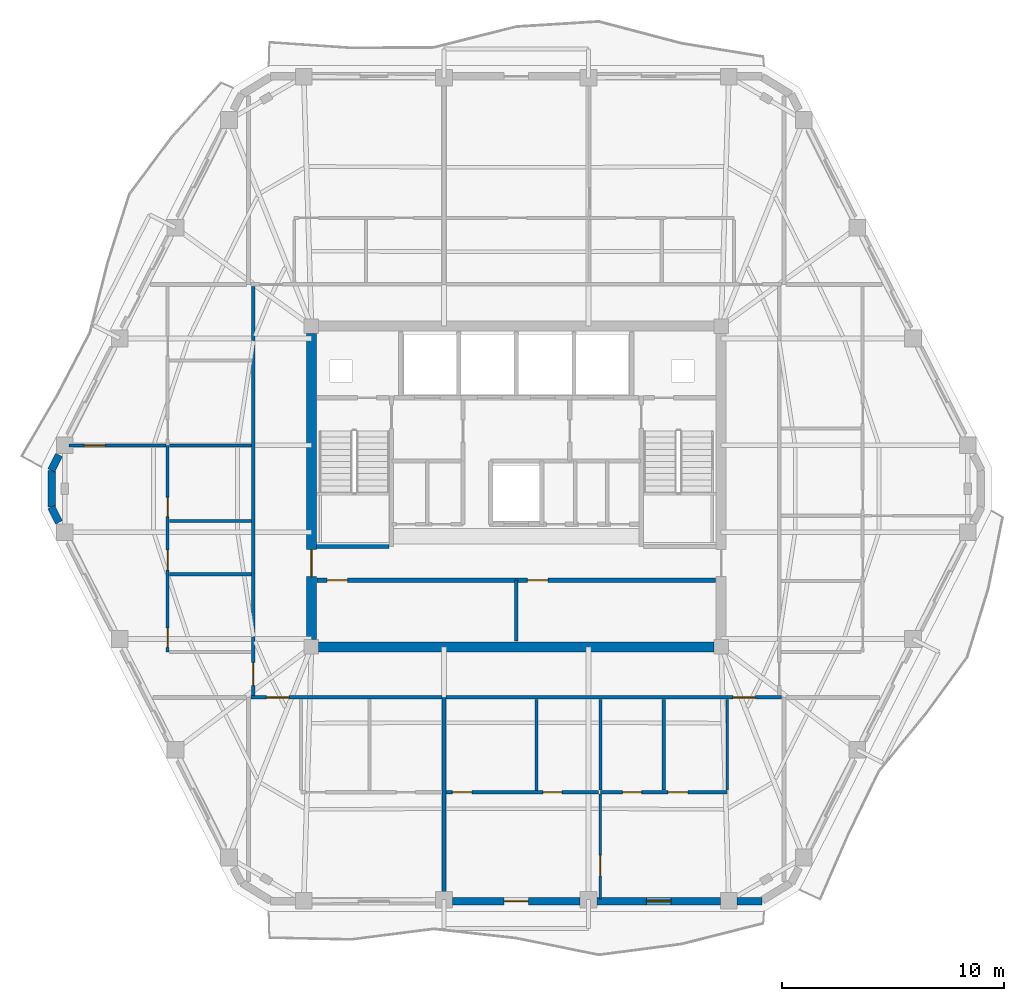
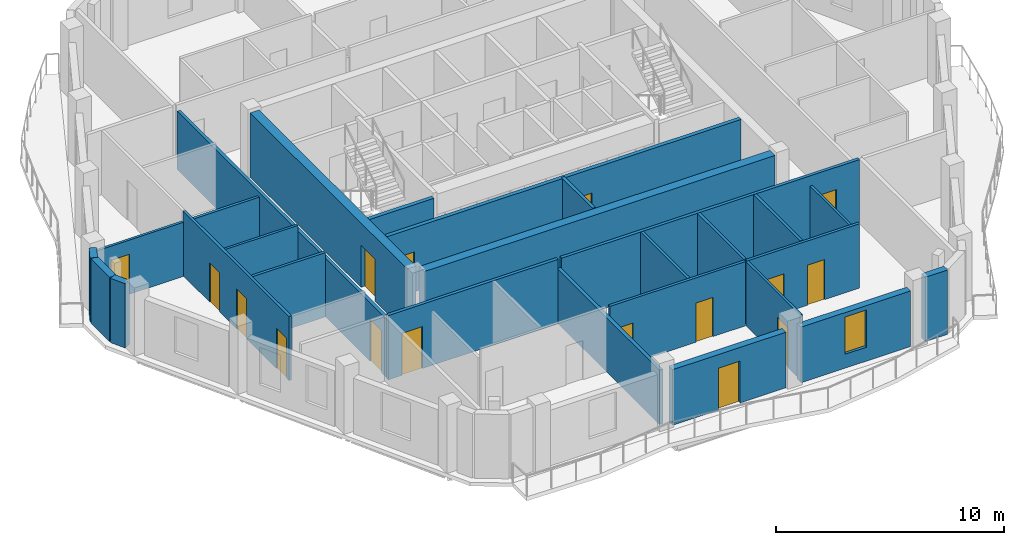
# One storey, part 4 of 11: 27 walls, 16 doors, 1 window, 17 openings.
"""IFC4 building model written with IfcOpenShell, lengths in metres."""

from ifc_helpers import new_model, si_unit, direction, frame, frame_2d, origin, place, context, subcontext, project, spatial, rectangle, extrude, material, layer, layer_set, type_object, element, fill, save


model = new_model("IFC4")

# Units and contexts
model_context = context("Model", 3, precision=1e-05, world=origin(), true_north=direction((0.0, 1.0)))
body_context = subcontext(model_context, "Body", "Model", "MODEL_VIEW")
ifc_project = project(units=[si_unit("LENGTHUNIT", "METRE"), si_unit("AREAUNIT", "SQUARE_METRE"), si_unit("VOLUMEUNIT", "CUBIC_METRE"), si_unit("PLANEANGLEUNIT", "RADIAN"), si_unit("MASSUNIT", "GRAM", prefix="KILO")], contexts=[model_context])

# Site, building, storey
site_placement = place(None, origin())
site = spatial("IfcSite", under=ifc_project, at=site_placement, CompositionType="ELEMENT")
building_placement = place(site_placement, origin())
building = spatial("IfcBuilding", under=site, at=building_placement, Name="Cinnabar Lancet Tower", CompositionType="ELEMENT")
storey_placement = place(building_placement, frame((0.0, 0.0, 234.300048828125)))
storey = spatial("IfcBuildingStorey", under=building, at=storey_placement, Name="L62", CompositionType="ELEMENT", Elevation=234.300048828125)

# Wall
ifc_material_1 = material(Name="Acoustic twin-stud gypsum partition", Category="gypsum")
ifc_layer_1 = layer(ifc_material_1, 0.159912109375)
ifc_layer_set_1 = layer_set([ifc_layer_1], Name="Acoustic twin-stud gypsum partition")
wall_type_1 = type_object("IfcWallType", Name="ARC-WL-CORR-160", PredefinedType="PARTITIONING", material=ifc_layer_set_1)
wall_1_placement = place(storey_placement, frame((32.39990234375, 18.949951171875, 0.0), z_axis=(0.0, 0.0, 1.0), x_axis=(0.0, 1.0, 0.0)))
element("IfcWall", 1, at=wall_1_placement, inside=storey, type_object=wall_type_1, Name="CW-SB-3240-L62", PredefinedType="PARTITIONING", context=body_context, shape_type="SweptSolid", body=[
    extrude(rectangle(XDim=2.72998046875, YDim=0.159912109375, at=frame_2d((1.364990234375, 0.0))), origin(), (0.0, 0.0, 1.0), 3.449951171875),
])

# Wall, opening, door
wall_2_placement = place(storey_placement, frame((20.445068359375, 16.39990234375, 0.0), z_axis=(0.0, 0.0, 1.0), x_axis=(1.0, 0.0, 0.0)))
wall_2 = element("IfcWall", 2, at=wall_2_placement, inside=storey, type_object=wall_type_1, Name="L62 Unit S01 Corridor Wall", PredefinedType="PARTITIONING", context=body_context, shape_type="SweptSolid", body=[
    extrude(rectangle(XDim=8.60595703125, YDim=0.159912109375, at=frame_2d((4.302978515625, 0.0))), origin(), (0.0, 0.0, 1.0), 3.449951171875),
])
opening_1_placement = place(wall_2_placement, frame((0.705078125, 0.0, 0.0)))
opening_1 = element("IfcOpeningElement", 3, at=opening_1_placement, cuts=wall_2, Name="Opening UD-01", PredefinedType="OPENING", context=body_context, shape_type="SweptSolid", body=[
    extrude(rectangle(XDim=1.02001953125, YDim=2.25, at=frame_2d((0.510009765625, 1.125))), frame((0.0, 0.08984375, 0.0), z_axis=(0.0, -1.0, 0.0), x_axis=(1.0, 0.0, 0.0)), (0.0, 0.0, 1.0), 0.179931640625),
])
ifc_material_2 = material(Name="Solid timber fire-rated apartment entrance door", Category="wood")
door_type_1 = type_object("IfcDoorType", Name="ARC-DR-UNIT", OperationType="NOTDEFINED", PredefinedType="DOOR", material=ifc_material_2)
door_1_placement = place(opening_1_placement, origin())
door_1 = element("IfcDoor", 4, at=door_1_placement, inside=storey, type_object=door_type_1, Name="DR-L62-S01-ENT", OperationType="SINGLE_SWING_LEFT", OverallHeight=2.25, OverallWidth=1.02001953125, PredefinedType="DOOR", context=body_context, shape_type="SweptSolid", body=[
    extrude(rectangle(XDim=1.02001953125, YDim=2.25, at=frame_2d((0.510009765625, 1.125))), frame((0.0, 0.02490234375, 0.0), z_axis=(0.0, -1.0, 0.0), x_axis=(1.0, 0.0, 0.0)), (0.0, 0.0, 1.0), 0.050048828125),
])
fill(opening_1, door_1)

wall_3_placement = place(storey_placement, frame((29.240966796875, 16.39990234375, 0.0), z_axis=(0.0, 0.0, 1.0), x_axis=(1.0, 0.0, 0.0)))
wall_3 = element("IfcWall", 5, at=wall_3_placement, inside=storey, type_object=wall_type_1, Name="L62 Unit S02 Corridor Wall", PredefinedType="PARTITIONING", context=body_context, shape_type="SweptSolid", body=[
    extrude(rectangle(XDim=15.114013671875, YDim=0.159912109375, at=frame_2d((7.55712890625, 0.0))), origin(), (0.0, 0.0, 1.0), 3.449951171875),
])
opening_2_placement = place(wall_3_placement, frame((12.908935546875, 0.0, 0.0)))
opening_2 = element("IfcOpeningElement", 6, at=opening_2_placement, cuts=wall_3, Name="Opening UD-01", PredefinedType="OPENING", context=body_context, shape_type="SweptSolid", body=[
    extrude(rectangle(XDim=1.02001953125, YDim=2.25, at=frame_2d((0.510009765625, 1.125))), frame((0.0, 0.08984375, 0.0), z_axis=(0.0, -1.0, 0.0), x_axis=(1.0, 0.0, 0.0)), (0.0, 0.0, 1.0), 0.179931640625),
])
door_2_placement = place(opening_2_placement, origin())
door_2 = element("IfcDoor", 7, at=door_2_placement, inside=storey, type_object=door_type_1, Name="DR-L62-S02-ENT", OperationType="SINGLE_SWING_RIGHT", OverallHeight=2.25, OverallWidth=1.02001953125, PredefinedType="DOOR", context=body_context, shape_type="SweptSolid", body=[
    extrude(rectangle(XDim=1.02001953125, YDim=2.25, at=frame_2d((0.510009765625, 1.125))), frame((0.0, 0.02490234375, 0.0), z_axis=(0.0, -1.0, 0.0), x_axis=(1.0, 0.0, 0.0)), (0.0, 0.0, 1.0), 0.050048828125),
])
fill(opening_2, door_2)

wall_4_placement = place(storey_placement, frame((20.550048828125, 16.4951171875, 0.0), z_axis=(0.0, 0.0, 1.0), x_axis=(0.0, 1.0, 0.0)))
wall_4 = element("IfcWall", 8, at=wall_4_placement, inside=storey, type_object=wall_type_1, Name="UW-L62-W01-COR", PredefinedType="PARTITIONING", context=body_context, shape_type="SweptSolid", body=[
    extrude(rectangle(XDim=18.409912109375, YDim=0.159912109375, at=frame_2d((9.205078125, 0.0))), origin(), (0.0, 0.0, 1.0), 3.136962890625),
])
opening_3_placement = place(wall_4_placement, frame((0.449951171875, 0.0, 0.0)))
opening_3 = element("IfcOpeningElement", 9, at=opening_3_placement, cuts=wall_4, Name="Opening UD-01", PredefinedType="OPENING", context=body_context, shape_type="SweptSolid", body=[
    extrude(rectangle(XDim=1.02001953125, YDim=2.25, at=frame_2d((0.510009765625, 1.125))), frame((0.0, 0.08984375, 0.0), z_axis=(0.0, -1.0, 0.0), x_axis=(1.0, 0.0, 0.0)), (0.0, 0.0, 1.0), 0.179931640625),
])
door_3_placement = place(opening_3_placement, origin())
door_3 = element("IfcDoor", 10, at=door_3_placement, inside=storey, type_object=door_type_1, Name="DR-L62-W01-ENT", OperationType="SINGLE_SWING_LEFT", OverallHeight=2.25, OverallWidth=1.02001953125, PredefinedType="DOOR", context=body_context, shape_type="SweptSolid", body=[
    extrude(rectangle(XDim=1.02001953125, YDim=2.25, at=frame_2d((0.510009765625, 1.125))), frame((0.0, 0.02490234375, 0.0), z_axis=(0.0, -1.0, 0.0), x_axis=(1.0, 0.0, 0.0)), (0.0, 0.0, 1.0), 0.050048828125),
])
fill(opening_3, door_3)

# Walls
ifc_material_3 = material(Name="Fire-rated twin-frame acoustic drywall", Category="gypsum")
ifc_layer_2 = layer(ifc_material_3, 0.179931640625)
ifc_layer_set_2 = layer_set([ifc_layer_2], Name="Fire-rated twin-frame acoustic drywall")
wall_type_2 = type_object("IfcWallType", Name="ARC-WL-PARTY-180", PredefinedType="PARTITIONING", material=ifc_layer_set_2)
wall_5_placement = place(storey_placement, frame((29.14599609375, 7.405029296875, 0.0), z_axis=(0.0, 0.0, 1.0), x_axis=(0.0, 1.0, 0.0)))
element("IfcWall", 11, at=wall_5_placement, inside=storey, type_object=wall_type_2, Name="PW-L62-SPTY-291", PredefinedType="PARTITIONING", context=body_context, shape_type="SweptSolid", body=[
    extrude(rectangle(XDim=8.994873046875, YDim=0.179931640625, at=frame_2d((4.49755859375, 0.0))), origin(), (0.0, 0.0, 1.0), 2.906982421875),
])
ifc_material_4 = material(Name="Autoclaved aerated concrete blockwork", Category="masonry")
ifc_layer_3 = layer(ifc_material_4, 0.199951171875)
ifc_layer_set_3 = layer_set([ifc_layer_3], Name="Autoclaved aerated concrete blockwork")
wall_type_3 = type_object("IfcWallType", Name="ARC-WL-SHAFT-200", PredefinedType="PLUMBINGWALL", material=ifc_layer_set_3)
wall_6_placement = place(storey_placement, frame((23.405029296875, 23.199951171875, 0.0), z_axis=(0.0, 0.0, 1.0), x_axis=(1.0, 0.0, 0.0)))
element("IfcWall", 12, at=wall_6_placement, inside=storey, type_object=wall_type_3, Name="CW-ST1S-L62", PredefinedType="PLUMBINGWALL", context=body_context, shape_type="SweptSolid", body=[
    extrude(rectangle(XDim=3.27001953125, YDim=0.199951171875, at=frame_2d((1.635009765625, 0.0))), origin(), (0.0, 0.0, 1.0), 3.449951171875),
])

# Wall, openings, doors
wall_7_placement = place(storey_placement, frame((23.419921875, 21.679931640625, 0.0), z_axis=(0.0, 0.0, 1.0), x_axis=(1.0, 0.0, 0.0)))
wall_7 = element("IfcWall", 13, at=wall_7_placement, inside=storey, type_object=wall_type_3, Name="CW-SBANDN-L62", PredefinedType="PLUMBINGWALL", context=body_context, shape_type="SweptSolid", body=[
    extrude(rectangle(XDim=17.9599609375, YDim=0.199951171875, at=frame_2d((8.97998046875, 0.0))), origin(), (0.0, 0.0, 1.0), 3.449951171875),
])
opening_4_placement = place(wall_7_placement, frame((0.4599609375, 0.0, 0.0)))
opening_4 = element("IfcOpeningElement", 14, at=opening_4_placement, cuts=wall_7, Name="Opening RD-01", PredefinedType="OPENING", context=body_context, shape_type="SweptSolid", body=[
    extrude(rectangle(XDim=0.919921875, YDim=2.14990234375, at=frame_2d((0.4599609375, 1.074951171875))), frame((0.0, 0.10986328125, 0.0), z_axis=(0.0, -1.0, 0.0), x_axis=(1.0, 0.0, 0.0)), (0.0, 0.0, 1.0), 0.219970703125),
])
opening_5_placement = place(wall_7_placement, frame((9.47998046875, 0.0, 0.0)))
opening_5 = element("IfcOpeningElement", 15, at=opening_5_placement, cuts=wall_7, Name="Opening RD-01", PredefinedType="OPENING", context=body_context, shape_type="SweptSolid", body=[
    extrude(rectangle(XDim=0.919921875, YDim=2.14990234375, at=frame_2d((0.4599609375, 1.074951171875))), frame((0.0, 0.10986328125, 0.0), z_axis=(0.0, -1.0, 0.0), x_axis=(1.0, 0.0, 0.0)), (0.0, 0.0, 1.0), 0.219970703125),
])
ifc_material_5 = material(Name="Engineered timber bedroom door", Category="wood")
door_type_2 = type_object("IfcDoorType", Name="ARC-DR-ROOM", OperationType="NOTDEFINED", PredefinedType="DOOR", material=ifc_material_5)
door_4_placement = place(opening_4_placement, origin())
door_4 = element("IfcDoor", 16, at=door_4_placement, inside=storey, type_object=door_type_2, Name="DR-L62-HREC1", OperationType="SINGLE_SWING_LEFT", OverallHeight=2.14990234375, OverallWidth=0.919921875, PredefinedType="DOOR", context=body_context, shape_type="SweptSolid", body=[
    extrude(rectangle(XDim=0.919921875, YDim=2.14990234375, at=frame_2d((0.4599609375, 1.074951171875))), frame((0.0, 0.02490234375, 0.0), z_axis=(0.0, -1.0, 0.0), x_axis=(1.0, 0.0, 0.0)), (0.0, 0.0, 1.0), 0.050048828125),
])
fill(opening_4, door_4)
door_5_placement = place(opening_5_placement, origin())
door_5 = element("IfcDoor", 17, at=door_5_placement, inside=storey, type_object=door_type_2, Name="DR-L62-HREC2", OperationType="SINGLE_SWING_RIGHT", OverallHeight=2.14990234375, OverallWidth=0.919921875, PredefinedType="DOOR", context=body_context, shape_type="SweptSolid", body=[
    extrude(rectangle(XDim=0.919921875, YDim=2.14990234375, at=frame_2d((0.4599609375, 1.074951171875))), frame((0.0, 0.02490234375, 0.0), z_axis=(0.0, -1.0, 0.0), x_axis=(1.0, 0.0, 0.0)), (0.0, 0.0, 1.0), 0.050048828125),
])
fill(opening_5, door_5)

# Wall
ifc_material_6 = material(Name="Gypsum plasterboard stud partition", Category="gypsum")
ifc_layer_4 = layer(ifc_material_6, 0.125)
ifc_layer_set_4 = layer_set([ifc_layer_4], Name="Gypsum plasterboard stud partition")
wall_type_4 = type_object("IfcWallType", Name="ARC-WL-UNIT-125", PredefinedType="PARTITIONING", material=ifc_layer_set_4)
wall_8_placement = place(storey_placement, frame((41.89990234375, 12.235107421875, 0.0), z_axis=(0.0, 0.0, 1.0), x_axis=(0.0, 1.0, 0.0)))
element("IfcWall", 18, at=wall_8_placement, inside=storey, type_object=wall_type_4, Name="UW-L62-S02-FOYW", PredefinedType="PARTITIONING", context=body_context, shape_type="SweptSolid", body=[
    extrude(rectangle(XDim=4.079833984375, YDim=0.125, at=frame_2d((2.0400390625, 0.0))), origin(), (0.0, 0.0, 1.0), 2.906982421875),
])

# Wall, opening, door
wall_9_placement = place(storey_placement, frame((36.18603515625, 7.31494140625, 0.0), z_axis=(0.0, 0.0, 1.0), x_axis=(0.0, 1.0, 0.0)))
wall_9 = element("IfcWall", 19, at=wall_9_placement, inside=storey, type_object=wall_type_4, Name="UW-L62-S02-MBW", PredefinedType="PARTITIONING", context=body_context, shape_type="SweptSolid", body=[
    extrude(rectangle(XDim=4.739990234375, YDim=0.125, at=frame_2d((2.3701171875, 0.0))), origin(), (0.0, 0.0, 1.0), 3.449951171875),
])
opening_6_placement = place(wall_9_placement, frame((1.050048828125, 0.0, 0.0)))
opening_6 = element("IfcOpeningElement", 20, at=opening_6_placement, cuts=wall_9, Name="Opening RD-01", PredefinedType="OPENING", context=body_context, shape_type="SweptSolid", body=[
    extrude(rectangle(XDim=0.919921875, YDim=2.14990234375, at=frame_2d((0.4599609375, 1.074951171875))), frame((0.0, 0.072509765625, 0.0), z_axis=(0.0, -1.0, 0.0), x_axis=(1.0, 0.0, 0.0)), (0.0, 0.0, 1.0), 0.14501953125),
])
door_6_placement = place(opening_6_placement, origin())
door_6 = element("IfcDoor", 21, at=door_6_placement, inside=storey, type_object=door_type_2, Name="DR-L62-S02-MBD", OperationType="SINGLE_SWING_LEFT", OverallHeight=2.14990234375, OverallWidth=0.919921875, PredefinedType="DOOR", context=body_context, shape_type="SweptSolid", body=[
    extrude(rectangle(XDim=0.919921875, YDim=2.14990234375, at=frame_2d((0.4599609375, 1.074951171875))), frame((0.0, 0.02490234375, 0.0), z_axis=(0.0, -1.0, 0.0), x_axis=(1.0, 0.0, 0.0)), (0.0, 0.0, 1.0), 0.050048828125),
])
fill(opening_6, door_6)

wall_10_placement = place(storey_placement, frame((12.2490234375, 27.74609375, 0.0), z_axis=(0.0, 0.0, 1.0), x_axis=(1.0, 0.0, 0.0)))
wall_10 = element("IfcWall", 22, at=wall_10_placement, inside=storey, type_object=wall_type_4, Name="UW-L62-W01-MBN", PredefinedType="PARTITIONING", context=body_context, shape_type="SweptSolid", body=[
    extrude(rectangle(XDim=4.3759765625, YDim=0.125, at=frame_2d((2.18798828125, 0.0))), origin(), (0.0, 0.0, 1.0), 2.906982421875),
])
opening_7_placement = place(wall_10_placement, frame((0.699951171875, 0.0, 0.0)))
opening_7 = element("IfcOpeningElement", 23, at=opening_7_placement, cuts=wall_10, Name="Opening RD-01", PredefinedType="OPENING", context=body_context, shape_type="SweptSolid", body=[
    extrude(rectangle(XDim=0.919921875, YDim=2.14990234375, at=frame_2d((0.4599609375, 1.074951171875))), frame((0.0, 0.072509765625, 0.0), z_axis=(0.0, -1.0, 0.0), x_axis=(1.0, 0.0, 0.0)), (0.0, 0.0, 1.0), 0.14501953125),
])
door_7_placement = place(opening_7_placement, origin())
door_7 = element("IfcDoor", 24, at=door_7_placement, inside=storey, type_object=door_type_2, Name="DR-L62-W01-MBD", OperationType="SINGLE_SWING_LEFT", OverallHeight=2.14990234375, OverallWidth=0.919921875, PredefinedType="DOOR", context=body_context, shape_type="SweptSolid", body=[
    extrude(rectangle(XDim=0.919921875, YDim=2.14990234375, at=frame_2d((0.4599609375, 1.074951171875))), frame((0.0, 0.02490234375, 0.0), z_axis=(0.0, -1.0, 0.0), x_axis=(1.0, 0.0, 0.0)), (0.0, 0.0, 1.0), 0.050048828125),
])
fill(opening_7, door_7)

# Wall
wall_11_placement = place(storey_placement, frame((16.784912109375, 24.345947265625, 0.0), z_axis=(0.0, 0.0, 1.0), x_axis=(1.0, 0.0, 0.0)))
element("IfcWall", 25, at=wall_11_placement, inside=storey, type_object=wall_type_4, Name="UW-L62-W01-UDV", PredefinedType="PARTITIONING", context=body_context, shape_type="SweptSolid", body=[
    extrude(rectangle(XDim=3.68017578125, YDim=0.125, at=frame_2d((1.840087890625, 0.0))), origin(), (0.0, 0.0, 1.0), 3.449951171875),
])

# Wall, openings, doors
ifc_material_7 = material(Name="Moisture-resistant cement-board plumbing wall", Category="masonry")
ifc_layer_5 = layer(ifc_material_7, 0.139892578125)
ifc_layer_set_5 = layer_set([ifc_layer_5], Name="Moisture-resistant cement-board plumbing wall")
wall_type_5 = type_object("IfcWallType", Name="ARC-WL-WET-140", PredefinedType="PLUMBINGWALL", material=ifc_layer_set_5)
wall_12_placement = place(storey_placement, frame((36.18603515625, 12.1298828125, 0.0), z_axis=(0.0, 0.0, 1.0), x_axis=(1.0, 0.0, 0.0)))
wall_12 = element("IfcWall", 26, at=wall_12_placement, inside=storey, type_object=wall_type_5, Name="UW-L62-S02-SPL", PredefinedType="PLUMBINGWALL", context=body_context, shape_type="SweptSolid", body=[
    extrude(rectangle(XDim=5.7138671875, YDim=0.139892578125, at=frame_2d((2.85693359375, 0.0))), origin(), (0.0, 0.0, 1.0), 3.449951171875),
])
opening_8_placement = place(wall_12_placement, frame((1.0029296875, 0.0, 0.0)))
opening_8 = element("IfcOpeningElement", 27, at=opening_8_placement, cuts=wall_12, Name="Opening BD-01", PredefinedType="OPENING", context=body_context, shape_type="SweptSolid", body=[
    extrude(rectangle(XDim=0.860107421875, YDim=2.10009765625, at=frame_2d((0.43017578125, 1.050048828125))), frame((0.0, 0.079833984375, 0.0), z_axis=(0.0, -1.0, 0.0), x_axis=(1.0, 0.0, 0.0)), (0.0, 0.0, 1.0), 0.159912109375),
])
opening_9_placement = place(wall_12_placement, frame((3.056884765625, 0.0, 0.0)))
opening_9 = element("IfcOpeningElement", 28, at=opening_9_placement, cuts=wall_12, Name="Opening RD-02", PredefinedType="OPENING", context=body_context, shape_type="SweptSolid", body=[
    extrude(rectangle(XDim=0.8798828125, YDim=2.14990234375, at=frame_2d((0.43994140625, 1.074951171875))), frame((0.0, 0.079833984375, 0.0), z_axis=(0.0, -1.0, 0.0), x_axis=(1.0, 0.0, 0.0)), (0.0, 0.0, 1.0), 0.159912109375),
])
ifc_material_8 = material(Name="Moisture-resistant timber bathroom door", Category="wood")
door_type_3 = type_object("IfcDoorType", Name="ARC-DR-BATH", OperationType="NOTDEFINED", PredefinedType="DOOR", material=ifc_material_8)
door_8_placement = place(opening_8_placement, origin())
door_8 = element("IfcDoor", 29, at=door_8_placement, inside=storey, type_object=door_type_3, Name="DR-L62-S02-BTH", OperationType="SINGLE_SWING_LEFT", OverallHeight=2.10009765625, OverallWidth=0.860107421875, PredefinedType="DOOR", context=body_context, shape_type="SweptSolid", body=[
    extrude(rectangle(XDim=0.860107421875, YDim=2.10009765625, at=frame_2d((0.43017578125, 1.050048828125))), frame((0.0, 0.02490234375, 0.0), z_axis=(0.0, -1.0, 0.0), x_axis=(1.0, 0.0, 0.0)), (0.0, 0.0, 1.0), 0.050048828125),
])
fill(opening_8, door_8)
ifc_material_9 = material(Name="Engineered timber study door", Category="wood")
door_type_4 = type_object("IfcDoorType", Name="ARC-DR-STUDY", OperationType="NOTDEFINED", PredefinedType="DOOR", material=ifc_material_9)
door_9_placement = place(opening_9_placement, origin())
door_9 = element("IfcDoor", 30, at=door_9_placement, inside=storey, type_object=door_type_4, Name="DR-L62-S02-KIT", OperationType="SINGLE_SWING_RIGHT", OverallHeight=2.14990234375, OverallWidth=0.8798828125, PredefinedType="DOOR", context=body_context, shape_type="SweptSolid", body=[
    extrude(rectangle(XDim=0.8798828125, YDim=2.14990234375, at=frame_2d((0.43994140625, 1.074951171875))), frame((0.0, 0.02490234375, 0.0), z_axis=(0.0, -1.0, 0.0), x_axis=(1.0, 0.0, 0.0)), (0.0, 0.0, 1.0), 0.050048828125),
])
fill(opening_9, door_9)

wall_13_placement = place(storey_placement, frame((29.240966796875, 12.1298828125, 0.0), z_axis=(0.0, 0.0, 1.0), x_axis=(1.0, 0.0, 0.0)))
wall_13 = element("IfcWall", 31, at=wall_13_placement, inside=storey, type_object=wall_type_5, Name="UW-L62-S02-SPM", PredefinedType="PLUMBINGWALL", context=body_context, shape_type="SweptSolid", body=[
    extrude(rectangle(XDim=6.8701171875, YDim=0.139892578125, at=frame_2d((3.43505859375, 0.0))), origin(), (0.0, 0.0, 1.0), 3.449951171875),
])
opening_10_placement = place(wall_13_placement, frame((0.280029296875, 0.0, 0.0)))
opening_10 = element("IfcOpeningElement", 32, at=opening_10_placement, cuts=wall_13, Name="Opening RD-02", PredefinedType="OPENING", context=body_context, shape_type="SweptSolid", body=[
    extrude(rectangle(XDim=0.8798828125, YDim=2.14990234375, at=frame_2d((0.43994140625, 1.074951171875))), frame((0.0, 0.079833984375, 0.0), z_axis=(0.0, -1.0, 0.0), x_axis=(1.0, 0.0, 0.0)), (0.0, 0.0, 1.0), 0.159912109375),
])
opening_11_placement = place(wall_13_placement, frame((4.35205078125, 0.0, 0.0)))
opening_11 = element("IfcOpeningElement", 33, at=opening_11_placement, cuts=wall_13, Name="Opening BD-01", PredefinedType="OPENING", context=body_context, shape_type="SweptSolid", body=[
    extrude(rectangle(XDim=0.860107421875, YDim=2.10009765625, at=frame_2d((0.43017578125, 1.050048828125))), frame((0.0, 0.079833984375, 0.0), z_axis=(0.0, -1.0, 0.0), x_axis=(1.0, 0.0, 0.0)), (0.0, 0.0, 1.0), 0.159912109375),
])
door_10_placement = place(opening_11_placement, origin())
door_10 = element("IfcDoor", 34, at=door_10_placement, inside=storey, type_object=door_type_3, Name="DR-L62-S02-ENS", OperationType="SINGLE_SWING_LEFT", OverallHeight=2.10009765625, OverallWidth=0.860107421875, PredefinedType="DOOR", context=body_context, shape_type="SweptSolid", body=[
    extrude(rectangle(XDim=0.860107421875, YDim=2.10009765625, at=frame_2d((0.43017578125, 1.050048828125))), frame((0.0, 0.02490234375, 0.0), z_axis=(0.0, -1.0, 0.0), x_axis=(1.0, 0.0, 0.0)), (0.0, 0.0, 1.0), 0.050048828125),
])
fill(opening_11, door_10)
door_11_placement = place(opening_10_placement, origin())
door_11 = element("IfcDoor", 35, at=door_11_placement, inside=storey, type_object=door_type_4, Name="DR-L62-S02-ENS-WDR", OperationType="SINGLE_SWING_RIGHT", OverallHeight=2.14990234375, OverallWidth=0.8798828125, PredefinedType="DOOR", context=body_context, shape_type="SweptSolid", body=[
    extrude(rectangle(XDim=0.8798828125, YDim=2.14990234375, at=frame_2d((0.43994140625, 1.074951171875))), frame((0.0, 0.02490234375, 0.0), z_axis=(0.0, -1.0, 0.0), x_axis=(1.0, 0.0, 0.0)), (0.0, 0.0, 1.0), 0.050048828125),
])
fill(opening_10, door_11)

# Walls
for number, where, z_axis, x_axis, name in (
    (36, (39.04296875, 12.235107421875, 0.0), (0.0, 0.0, 1.0), (0.0, 1.0, 0.0), "UW-L62-S02-KBD"),
    (37, (36.18603515625, 12.235107421875, 0.0), (0.0, 0.0, 1.0), (0.0, 1.0, 0.0), "UW-L62-S02-ENSW"),
):
    element("IfcWall", number, at=place(storey_placement, frame(where, z_axis=z_axis, x_axis=x_axis)), inside=storey, type_object=wall_type_5, Name=name, PredefinedType="PLUMBINGWALL", context=body_context, shape_type="SweptSolid", body=[
        extrude(rectangle(XDim=4.079833984375, YDim=0.139892578125, at=frame_2d((2.0400390625, 0.0))), origin(), (0.0, 0.0, 1.0), 3.449951171875),
    ])
wall_14_placement = place(storey_placement, frame((33.31298828125, 12.215087890625, 0.0), z_axis=(0.0, 0.0, 1.0), x_axis=(0.0, 1.0, 0.0)))
element("IfcWall", 38, at=wall_14_placement, inside=storey, type_object=wall_type_5, Name="UW-L62-S02-ENS-WDV", PredefinedType="PLUMBINGWALL", context=body_context, shape_type="SweptSolid", body=[
    extrude(rectangle(XDim=4.099853515625, YDim=0.139892578125, at=frame_2d((2.0498046875, 0.0))), origin(), (0.0, 0.0, 1.0), 3.449951171875),
])

# Wall, openings, doors
wall_15_placement = place(storey_placement, frame((16.699951171875, 18.449951171875, 0.0), z_axis=(0.0, 0.0, 1.0), x_axis=(0.0, 1.0, 0.0)))
wall_15 = element("IfcWall", 39, at=wall_15_placement, inside=storey, type_object=wall_type_5, Name="UW-L62-W01-SPL", PredefinedType="PLUMBINGWALL", context=body_context, shape_type="SweptSolid", body=[
    extrude(rectangle(XDim=9.296142578125, YDim=0.139892578125, at=frame_2d((4.64794921875, 0.0))), origin(), (0.0, 0.0, 1.0), 3.449951171875),
])
opening_12_placement = place(wall_15_placement, frame((0.199951171875, 0.0, 0.0)))
opening_12 = element("IfcOpeningElement", 40, at=opening_12_placement, cuts=wall_15, Name="Opening RD-02", PredefinedType="OPENING", context=body_context, shape_type="SweptSolid", body=[
    extrude(rectangle(XDim=0.8798828125, YDim=2.14990234375, at=frame_2d((0.43994140625, 1.074951171875))), frame((0.0, 0.079833984375, 0.0), z_axis=(0.0, -1.0, 0.0), x_axis=(1.0, 0.0, 0.0)), (0.0, 0.0, 1.0), 0.159912109375),
])
opening_13_placement = place(wall_15_placement, frame((3.699951171875, 0.0, 0.0)))
opening_13 = element("IfcOpeningElement", 41, at=opening_13_placement, cuts=wall_15, Name="Opening RD-02", PredefinedType="OPENING", context=body_context, shape_type="SweptSolid", body=[
    extrude(rectangle(XDim=0.8798828125, YDim=2.14990234375, at=frame_2d((0.43994140625, 1.074951171875))), frame((0.0, 0.079833984375, 0.0), z_axis=(0.0, -1.0, 0.0), x_axis=(1.0, 0.0, 0.0)), (0.0, 0.0, 1.0), 0.159912109375),
])
opening_14_placement = place(wall_15_placement, frame((6.095947265625, 0.0, 0.0)))
opening_14 = element("IfcOpeningElement", 42, at=opening_14_placement, cuts=wall_15, Name="Opening BD-01", PredefinedType="OPENING", context=body_context, shape_type="SweptSolid", body=[
    extrude(rectangle(XDim=0.860107421875, YDim=2.10009765625, at=frame_2d((0.43017578125, 1.050048828125))), frame((0.0, 0.079833984375, 0.0), z_axis=(0.0, -1.0, 0.0), x_axis=(1.0, 0.0, 0.0)), (0.0, 0.0, 1.0), 0.159912109375),
])
door_12_placement = place(opening_14_placement, origin())
door_12 = element("IfcDoor", 43, at=door_12_placement, inside=storey, type_object=door_type_3, Name="DR-L62-W01-BTH", OperationType="SINGLE_SWING_RIGHT", OverallHeight=2.10009765625, OverallWidth=0.860107421875, PredefinedType="DOOR", context=body_context, shape_type="SweptSolid", body=[
    extrude(rectangle(XDim=0.860107421875, YDim=2.10009765625, at=frame_2d((0.43017578125, 1.050048828125))), frame((0.0, 0.02490234375, 0.0), z_axis=(0.0, -1.0, 0.0), x_axis=(1.0, 0.0, 0.0)), (0.0, 0.0, 1.0), 0.050048828125),
])
fill(opening_14, door_12)
door_13_placement = place(opening_12_placement, origin())
door_13 = element("IfcDoor", 44, at=door_13_placement, inside=storey, type_object=door_type_4, Name="DR-L62-W01-KIT", OperationType="SINGLE_SWING_RIGHT", OverallHeight=2.14990234375, OverallWidth=0.8798828125, PredefinedType="DOOR", context=body_context, shape_type="SweptSolid", body=[
    extrude(rectangle(XDim=0.8798828125, YDim=2.14990234375, at=frame_2d((0.43994140625, 1.074951171875))), frame((0.0, 0.02490234375, 0.0), z_axis=(0.0, -1.0, 0.0), x_axis=(1.0, 0.0, 0.0)), (0.0, 0.0, 1.0), 0.050048828125),
])
fill(opening_12, door_13)
door_14_placement = place(opening_13_placement, origin())
door_14 = element("IfcDoor", 45, at=door_14_placement, inside=storey, type_object=door_type_4, Name="DR-L62-W01-UTL", OperationType="SINGLE_SWING_LEFT", OverallHeight=2.14990234375, OverallWidth=0.8798828125, PredefinedType="DOOR", context=body_context, shape_type="SweptSolid", body=[
    extrude(rectangle(XDim=0.8798828125, YDim=2.14990234375, at=frame_2d((0.43994140625, 1.074951171875))), frame((0.0, 0.02490234375, 0.0), z_axis=(0.0, -1.0, 0.0), x_axis=(1.0, 0.0, 0.0)), (0.0, 0.0, 1.0), 0.050048828125),
])
fill(opening_13, door_14)

# Walls
wall_16_placement = place(storey_placement, frame((16.784912109375, 27.74609375, 0.0), z_axis=(0.0, 0.0, 1.0), x_axis=(1.0, 0.0, 0.0)))
element("IfcWall", 46, at=wall_16_placement, inside=storey, type_object=wall_type_5, Name="UW-L62-W01-ENSN", PredefinedType="PLUMBINGWALL", context=body_context, shape_type="SweptSolid", body=[
    extrude(rectangle(XDim=3.68017578125, YDim=0.139892578125, at=frame_2d((1.840087890625, 0.0))), origin(), (0.0, 0.0, 1.0), 2.906982421875),
])
wall_17_placement = place(storey_placement, frame((16.784912109375, 21.949951171875, 0.0), z_axis=(0.0, 0.0, 1.0), x_axis=(1.0, 0.0, 0.0)))
element("IfcWall", 47, at=wall_17_placement, inside=storey, type_object=wall_type_5, Name="UW-L62-W01-KDV", PredefinedType="PLUMBINGWALL", context=body_context, shape_type="SweptSolid", body=[
    extrude(rectangle(XDim=3.68017578125, YDim=0.139892578125, at=frame_2d((1.840087890625, 0.0))), origin(), (0.0, 0.0, 1.0), 3.449951171875),
])
ifc_material_10 = material(Name="Cinnabar red clay brick", Category="masonry")
ifc_layer_6 = layer(ifc_material_10, 0.340087890625)
ifc_layer_set_6 = layer_set([ifc_layer_6], Name="Cinnabar red clay brick")
wall_type_6 = type_object("IfcWallType", Name="ENV-WL-BRK-RED-340", PredefinedType="STANDARD", material=ifc_layer_set_6)
wall_18_placement = place(storey_placement, frame((11.47705078125, 26.6201171875, 0.0), z_axis=(0.0, 0.0, 1.0), x_axis=(0.0, -1.0, 0.0)))
element("IfcWall", 48, at=wall_18_placement, inside=storey, type_object=wall_type_6, Name="L62 Chamfered Corner Brick Pier 6.1", PredefinedType="STANDARD", context=body_context, shape_type="SweptSolid", body=[
    extrude(rectangle(XDim=1.64013671875, YDim=0.340087890625, at=frame_2d((0.820068359375, 0.0))), origin(), (0.0, 0.0, 1.0), 3.449951171875),
])

# Wall, opening, door
wall_19_placement = place(storey_placement, frame((29.52490234375, 7.22998046875, 0.0), z_axis=(0.0, 0.0, 1.0), x_axis=(1.0, 0.0, 0.0)))
wall_19 = element("IfcWall", 49, at=wall_19_placement, inside=storey, type_object=wall_type_6, Name="L62 Face 1 Masonry Bay Wall 3", PredefinedType="STANDARD", context=body_context, shape_type="SweptSolid", body=[
    extrude(rectangle(XDim=5.75, YDim=0.340087890625, at=frame_2d((2.875, 0.0))), origin(), (0.0, 0.0, 1.0), 2.98291015625),
])
opening_15_placement = place(wall_19_placement, frame((2.324951171875, 0.0, 0.0)))
opening_15 = element("IfcOpeningElement", 50, at=opening_15_placement, cuts=wall_19, Name="Opening TD-01", PredefinedType="OPENING", context=body_context, shape_type="SweptSolid", body=[
    extrude(rectangle(XDim=1.10009765625, YDim=2.25, at=frame_2d((0.550048828125, 1.125))), frame((0.0, 0.179931640625, 0.0), z_axis=(0.0, -1.0, 0.0), x_axis=(1.0, 0.0, 0.0)), (0.0, 0.0, 1.0), 0.360107421875),
])
ifc_material_11 = material(Name="Thermally broken low-E glazed balcony terrace door", Category="wood")
door_type_5 = type_object("IfcDoorType", Name="ARC-DR-BALC", OperationType="NOTDEFINED", PredefinedType="DOOR", material=ifc_material_11)
door_15_placement = place(opening_15_placement, origin())
door_15 = element("IfcDoor", 51, at=door_15_placement, inside=storey, type_object=door_type_5, Name="L62 Face 1 Glazed Terrace Door", OperationType="SINGLE_SWING_LEFT", OverallHeight=2.25, OverallWidth=1.10009765625, PredefinedType="DOOR", context=body_context, shape_type="SweptSolid", body=[
    extrude(rectangle(XDim=1.10009765625, YDim=2.25, at=frame_2d((0.550048828125, 1.125))), frame((0.0, 0.02490234375, 0.0), z_axis=(0.0, -1.0, 0.0), x_axis=(1.0, 0.0, 0.0)), (0.0, 0.0, 1.0), 0.050048828125),
])
fill(opening_15, door_15)

# Wall, opening, window
wall_20_placement = place(storey_placement, frame((36.032958984375, 7.22998046875, 0.0), z_axis=(0.0, 0.0, 1.0), x_axis=(1.0, 0.0, 0.0)))
wall_20 = element("IfcWall", 52, at=wall_20_placement, inside=storey, type_object=wall_type_6, Name="L62 Face 1 Masonry Bay Wall 4", PredefinedType="STANDARD", context=body_context, shape_type="SweptSolid", body=[
    extrude(rectangle(XDim=5.56005859375, YDim=0.340087890625, at=frame_2d((2.780029296875, 0.0))), origin(), (0.0, 0.0, 1.0), 2.98291015625),
])
opening_16_placement = place(wall_20_placement, frame((2.22998046875, 0.0, 0.75)))
opening_16 = element("IfcOpeningElement", 53, at=opening_16_placement, cuts=wall_20, Name="Opening WN-04", PredefinedType="OPENING", context=body_context, shape_type="SweptSolid", body=[
    extrude(rectangle(XDim=1.10009765625, YDim=2.0, at=frame_2d((0.550048828125, 1.0))), frame((0.0, 0.179931640625, 0.0), z_axis=(0.0, -1.0, 0.0), x_axis=(1.0, 0.0, 0.0)), (0.0, 0.0, 1.0), 0.360107421875),
])
ifc_material_12 = material(Name="Thermally broken bronze-anodized aluminium tall lancet window", Category="aluminium")
window_type = type_object("IfcWindowType", Name="ENV-WN-LANCET-1100", PartitioningType="SINGLE_PANEL", PredefinedType="WINDOW", material=ifc_material_12)
window_placement = place(opening_16_placement, origin())
window = element("IfcWindow", 54, at=window_placement, inside=storey, type_object=window_type, Name="L62 Face 1 Gothic Lancet Window 4", OverallHeight=2.0, OverallWidth=1.10009765625, PartitioningType="SINGLE_PANEL", PredefinedType="WINDOW", context=body_context, shape_type="SweptSolid", body=[
    extrude(rectangle(XDim=1.10009765625, YDim=2.0, at=frame_2d((0.550048828125, 1.0))), frame((0.0, 0.030029296875, 0.0), z_axis=(0.0, -1.0, 0.0), x_axis=(1.0, 0.0, 0.0)), (0.0, 0.0, 1.0), 0.06005859375),
])
fill(opening_16, window)

# Walls
wall_21_placement = place(storey_placement, frame((42.35107421875, 7.22998046875, 0.0), z_axis=(0.0, 0.0, 1.0), x_axis=(1.0, 0.0, 0.0)))
element("IfcWall", 55, at=wall_21_placement, inside=storey, type_object=wall_type_6, Name="L62 Face 1 Masonry Bay Wall 5", PredefinedType="STANDARD", context=body_context, shape_type="SweptSolid", body=[
    extrude(rectangle(XDim=1.123046875, YDim=0.340087890625, at=frame_2d((0.5615234375, 0.0))), origin(), (0.0, 0.0, 1.0), 3.449951171875),
])
for number, where, z_axis, x_axis, name in (
    (56, (11.803955078125, 27.31591796875, 0.0), (0.0, 0.0, 1.0), (-0.45075284655, -0.892648795063, 0.0), "L62 Face 5 Masonry Bay Wall 5"),
    (57, (11.4560546875, 24.972900390625, 0.0), (0.0, 0.0, 1.0), (0.45075284655, -0.892648795063, 0.0), "L62 Face 6 Masonry Bay Wall 1"),
):
    element("IfcWall", number, at=place(storey_placement, frame(where, z_axis=z_axis, x_axis=x_axis)), inside=storey, type_object=wall_type_6, Name=name, PredefinedType="STANDARD", context=body_context, shape_type="SweptSolid", body=[
        extrude(rectangle(XDim=0.771728515625, YDim=0.340087890625, at=frame_2d((0.3857421875, 0.0))), origin(), (0.0, 0.0, 1.0), 3.449951171875),
    ])
ifc_material_13 = material(Name="Concrete C50/60", Category="concrete")
ifc_layer_7 = layer(ifc_material_13, 0.449951171875)
ifc_layer_set_7 = layer_set([ifc_layer_7], Name="Concrete C50/60")
wall_type_7 = type_object("IfcWallType", Name="STR-WL-CORE-450", PredefinedType="SHEAR", material=ifc_layer_set_7)
wall_22_placement = place(storey_placement, frame((23.5, 18.675048828125, 0.0), z_axis=(0.0, 0.0, 1.0), x_axis=(1.0, 0.0, 0.0)))
element("IfcWall", 58, at=wall_22_placement, inside=storey, type_object=wall_type_7, Name="L62 Core Shear Wall S", PredefinedType="SHEAR", context=body_context, shape_type="SweptSolid", body=[
    extrude(rectangle(XDim=17.800048828125, YDim=0.449951171875, at=frame_2d((8.89990234375, 0.0))), origin(), (0.0, 0.0, 1.0), 3.449951171875),
])

# Wall, opening, door
wall_23_placement = place(storey_placement, frame((23.175048828125, 19.0, 0.0), z_axis=(0.0, 0.0, 1.0), x_axis=(0.0, 1.0, 0.0)))
wall_23 = element("IfcWall", 59, at=wall_23_placement, inside=storey, type_object=wall_type_7, Name="L62 Core Shear Wall W", PredefinedType="SHEAR", context=body_context, shape_type="SweptSolid", body=[
    extrude(rectangle(XDim=13.800048828125, YDim=0.449951171875, at=frame_2d((6.89990234375, 0.0))), origin(), (0.0, 0.0, 1.0), 3.449951171875),
])
opening_17_placement = place(wall_23_placement, frame((2.840087890625, 0.0, 0.0)))
opening_17 = element("IfcOpeningElement", 60, at=opening_17_placement, cuts=wall_23, Name="Opening FD-02", PredefinedType="OPENING", context=body_context, shape_type="SweptSolid", body=[
    extrude(rectangle(XDim=1.219970703125, YDim=2.25, at=frame_2d((0.60986328125, 1.125))), frame((0.0, 0.23486328125, 0.0), z_axis=(0.0, -1.0, 0.0), x_axis=(1.0, 0.0, 0.0)), (0.0, 0.0, 1.0), 0.469970703125),
])
ifc_material_14 = material(Name="Fire-rated double-vision core portal door", Category="wood")
door_type_6 = type_object("IfcDoorType", Name="ARC-DR-CPORT", OperationType="NOTDEFINED", PredefinedType="DOOR", material=ifc_material_14)
door_16_placement = place(opening_17_placement, origin())
door_16 = element("IfcDoor", 61, at=door_16_placement, inside=storey, type_object=door_type_6, Name="L62 West Core Lobby Fire Door", OperationType="SINGLE_SWING_RIGHT", OverallHeight=2.25, OverallWidth=1.219970703125, PredefinedType="DOOR", context=body_context, shape_type="SweptSolid", body=[
    extrude(rectangle(XDim=1.219970703125, YDim=2.25, at=frame_2d((0.60986328125, 1.125))), frame((0.0, 0.02490234375, 0.0), z_axis=(0.0, -1.0, 0.0), x_axis=(1.0, 0.0, 0.0)), (0.0, 0.0, 1.0), 0.050048828125),
])
fill(opening_17, door_16)

save(model, "model.ifc")
